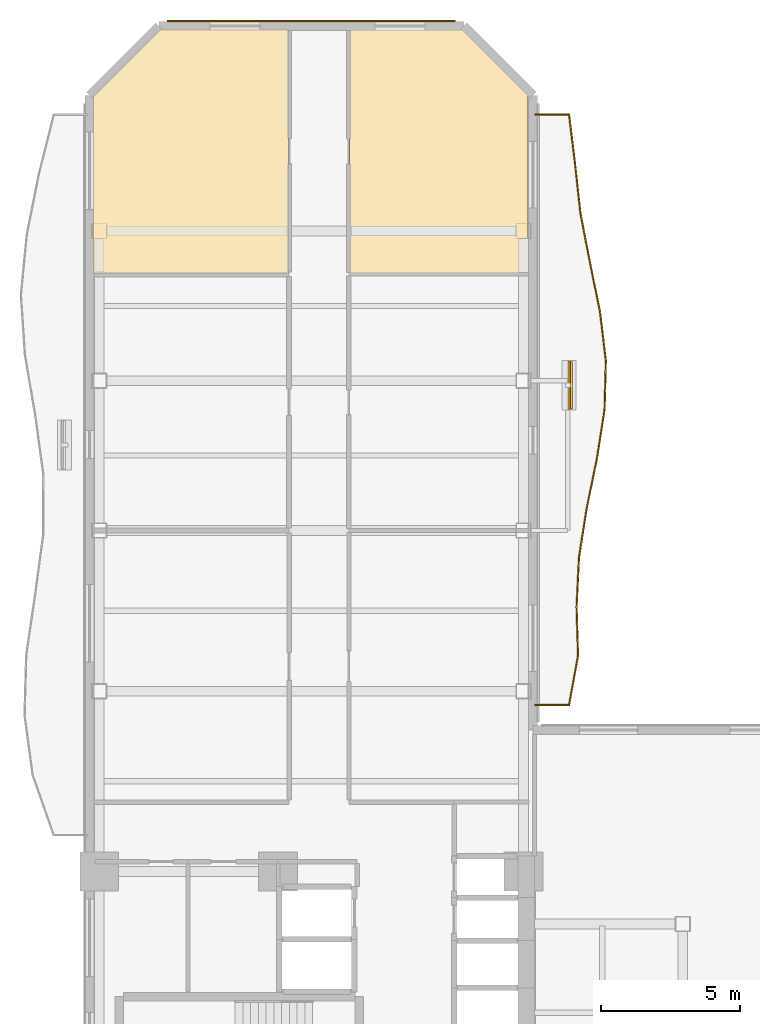
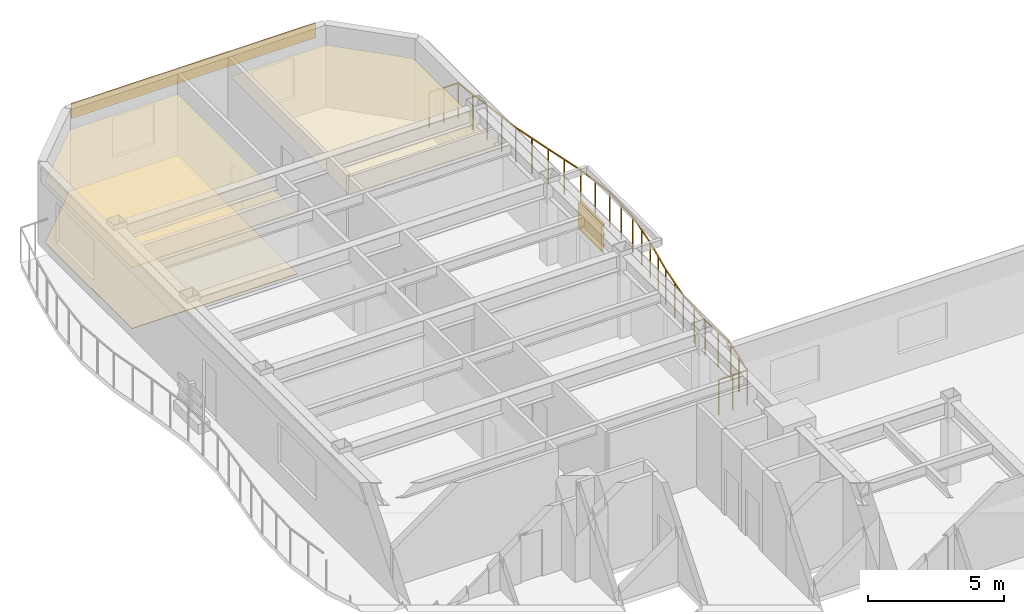
# One storey, part 16 of 16: 4 coverings, 4 shading devices, 1 railing.
"""IFC4 building model written with IfcOpenShell, lengths in metres."""

from ifc_helpers import new_model, si_unit, direction, frame, origin, origin_2d, place, context, subcontext, project, spatial, polyline, rectangle, outline, extrude, material, layer, layer_set, material_profile, profile_set, type_object, element, save


model = new_model("IFC4")

# Units and contexts
model_context = context("Model", 3, precision=1e-05, world=origin(), true_north=direction((0.0, 1.0)))
body_context = subcontext(model_context, "Body", "Model", "MODEL_VIEW")
ifc_project = project(units=[si_unit("LENGTHUNIT", "METRE"), si_unit("AREAUNIT", "SQUARE_METRE"), si_unit("VOLUMEUNIT", "CUBIC_METRE"), si_unit("PLANEANGLEUNIT", "RADIAN"), si_unit("MASSUNIT", "GRAM", prefix="KILO")], contexts=[model_context])

# Site, building, storey
site_placement = place(None, origin())
site = spatial("IfcSite", under=ifc_project, at=site_placement, CompositionType="ELEMENT")
building_placement = place(site_placement, origin())
building = spatial("IfcBuilding", under=site, at=building_placement, Name="Mawjaban Terraces University", CompositionType="ELEMENT")
storey_placement = place(building_placement, frame((0.0, 0.0, 38.800048828125)))
storey = spatial("IfcBuildingStorey", under=building, at=storey_placement, Name="L08", CompositionType="ELEMENT", Elevation=38.800048828125)

# Coverings
ifc_material_1 = material(Name="Acoustic mineral fibre ceiling tile", Category="masonry")
ifc_layer_1 = layer(ifc_material_1, 0.02001953125)
ifc_layer_set_1 = layer_set([ifc_layer_1], Name="Acoustic mineral fibre ceiling tile")
covering_type_1 = type_object("IfcCoveringType", Name="AcousticMineralCeiling_20", PredefinedType="CEILING", material=ifc_layer_set_1)
covering_1_placement = place(storey_placement, frame((0.0, 0.0, 2.75)))
element("IfcCovering", 1, at=covering_1_placement, inside=storey, type_object=covering_type_1, Name="L08 Quiet Reading Room 12 Acoustic Ceiling", PredefinedType="CEILING", context=body_context, shape_type="SweptSolid", body=[
    extrude(outline(polyline([(29.169921875, 53.885009765625), (24.547119140625, 53.885009765625), (22.114990234375, 51.452880859375), (22.114990234375, 45.070068359375), (29.169921875, 45.070068359375), (29.169921875, 53.885009765625)])), origin(), (0.0, 0.0, 1.0), 0.02001953125),
])
covering_2_placement = place(storey_placement, frame((0.0, 0.0, 2.75)))
element("IfcCovering", 2, at=covering_2_placement, inside=storey, type_object=covering_type_1, Name="L08 Collaborative Study Room 13 Acoustic Ceiling", PredefinedType="CEILING", context=body_context, shape_type="SweptSolid", body=[
    extrude(outline(polyline([(37.820068359375, 51.51806640625), (35.452880859375, 53.885009765625), (31.3798828125, 53.885009765625), (31.3798828125, 45.070068359375), (37.820068359375, 45.070068359375), (37.820068359375, 51.51806640625)])), origin(), (0.0, 0.0, 1.0), 0.02001953125),
])

# Railing
ifc_material_2 = material(Name="Galvanised powder-coated steel S355", Category="steel")
railing_type = type_object("IfcRailingType", Name="BalconyBalustrade_1600", PredefinedType="BALUSTRADE", material=ifc_material_2)
railing_placement = place(storey_placement, frame((38.080078125, 29.5, 0.0)))
element("IfcRailing", 3, at=railing_placement, inside=storey, type_object=railing_type, Name="L08 Balcony Guardrail inner_east", PredefinedType="BALUSTRADE", context=body_context, shape_type="SweptSolid", body=[
    extrude(rectangle(XDim=0.048095703125, YDim=0.048095703125, at=origin_2d()), frame((0.0, 0.0, 1.576171875), z_axis=(1.0, 0.0, 0.0), x_axis=(0.0, 1.0, 0.0)), (0.0, 0.0, 1.0), 1.219970703125),
    extrude(rectangle(XDim=0.048095703125, YDim=0.048095703125, at=origin_2d()), frame((1.219970703125, 0.0, 1.576171875), z_axis=(0.179040252349, 0.98384174949, 0.0), x_axis=(-0.98384174949, 0.179040252349, 0.0)), (0.0, 0.0, 1.0), 1.803955078125),
    extrude(rectangle(XDim=0.048095703125, YDim=0.048095703125, at=origin_2d()), frame((1.54296875, 1.77490234375, 1.576171875), z_axis=(-0.029281895776, 0.999571193352, 0.0), x_axis=(-0.999571193352, -0.029281895776, 0.0)), (0.0, 0.0, 1.0), 1.77587890625),
    extrude(rectangle(XDim=0.048095703125, YDim=0.048095703125, at=origin_2d()), frame((1.490966796875, 3.550048828125, 1.576171875), z_axis=(0.048909757879, 0.998803201629, 0.0), x_axis=(-0.998803201629, 0.048909757879, 0.0)), (0.0, 0.0, 1.0), 1.777099609375),
    extrude(rectangle(XDim=0.048095703125, YDim=0.048095703125, at=origin_2d()), frame((1.577880859375, 5.324951171875, 1.576171875), z_axis=(0.154762346011, 0.987951727696, 0.0), x_axis=(-0.987951727696, 0.154762346011, 0.0)), (0.0, 0.0, 1.0), 1.796875),
    extrude(rectangle(XDim=0.048095703125, YDim=0.048095703125, at=origin_2d()), frame((1.85595703125, 7.10009765625, 1.576171875), z_axis=(0.201941800266, 0.979397523637, 0.0), x_axis=(-0.979397523637, 0.201941800266, 0.0)), (0.0, 0.0, 1.0), 1.812255859375),
    extrude(rectangle(XDim=0.048095703125, YDim=0.048095703125, at=origin_2d()), frame((2.221923828125, 8.875, 1.576171875), z_axis=(0.155313609434, 0.987865214857, 0.0), x_axis=(-0.987865214857, 0.155313609434, 0.0)), (0.0, 0.0, 1.0), 1.796630859375),
    extrude(rectangle(XDim=0.048095703125, YDim=0.048095703125, at=origin_2d()), frame((2.5009765625, 10.64990234375, 1.576171875), z_axis=(0.025847502232, 0.999665897502, 0.0), x_axis=(-0.999665897502, 0.025847502232, 0.0)), (0.0, 0.0, 1.0), 1.775634765625),
    extrude(rectangle(XDim=0.048095703125, YDim=0.048095703125, at=origin_2d()), frame((2.546875, 12.425048828125, 1.576171875), z_axis=(-0.118552771619, 0.992947753077, 0.0), x_axis=(-0.992947753077, -0.118552771619, 0.0)), (0.0, 0.0, 1.0), 1.78759765625),
    extrude(rectangle(XDim=0.048095703125, YDim=0.048095703125, at=origin_2d()), frame((2.3349609375, 14.199951171875, 1.576171875), z_axis=(-0.200363902893, 0.979721545347, 0.0), x_axis=(-0.979721545347, -0.200363902893, 0.0)), (0.0, 0.0, 1.0), 1.811767578125),
    extrude(rectangle(XDim=0.048095703125, YDim=0.048095703125, at=origin_2d()), frame((1.971923828125, 15.97509765625, 1.576171875), z_axis=(-0.189228108876, 0.981933155979, 0.0), x_axis=(-0.981933155979, -0.189228108876, 0.0)), (0.0, 0.0, 1.0), 1.8076171875),
    extrude(rectangle(XDim=0.048095703125, YDim=0.048095703125, at=origin_2d()), frame((1.6298828125, 17.75, 1.576171875), z_axis=(-0.108570355093, 0.994088767664, 0.0), x_axis=(-0.994088767664, -0.108570355093, 0.0)), (0.0, 0.0, 1.0), 1.785400390625),
    extrude(rectangle(XDim=0.048095703125, YDim=0.048095703125, at=origin_2d()), frame((1.43603515625, 19.52490234375, 1.576171875), z_axis=(-0.120824696232, 0.992673860228, 0.0), x_axis=(-0.992673860228, -0.120824696232, 0.0)), (0.0, 0.0, 1.0), 1.788330078125),
    extrude(rectangle(XDim=0.048095703125, YDim=0.048095703125, at=origin_2d()), frame((1.219970703125, 21.300048828125, 1.576171875), z_axis=(-1.0, 0.0, 0.0), x_axis=(0.0, -1.0, 0.0)), (0.0, 0.0, 1.0), 1.219970703125),
    extrude(rectangle(XDim=0.0419921875, YDim=0.0419921875, at=origin_2d()), origin(), (0.0, 0.0, 1.0), 1.552001953125),
    extrude(rectangle(XDim=0.0419921875, YDim=0.0419921875, at=origin_2d()), frame((0.60986328125, 0.0, 0.0)), (0.0, 0.0, 1.0), 1.552001953125),
    extrude(rectangle(XDim=0.0419921875, YDim=0.0419921875, at=origin_2d()), frame((1.219970703125, 0.0, 0.0)), (0.0, 0.0, 1.0), 1.552001953125),
    extrude(rectangle(XDim=0.0419921875, YDim=0.0419921875, at=origin_2d()), frame((1.38134765625, 0.887451171875, 0.0)), (0.0, 0.0, 1.0), 1.552001953125),
    extrude(rectangle(XDim=0.0419921875, YDim=0.0419921875, at=origin_2d()), frame((1.54296875, 1.77490234375, 0.0)), (0.0, 0.0, 1.0), 1.552001953125),
    extrude(rectangle(XDim=0.0419921875, YDim=0.0419921875, at=origin_2d()), frame((1.51708984375, 2.66259765625, 0.0)), (0.0, 0.0, 1.0), 1.552001953125),
    extrude(rectangle(XDim=0.0419921875, YDim=0.0419921875, at=origin_2d()), frame((1.490966796875, 3.550048828125, 0.0)), (0.0, 0.0, 1.0), 1.552001953125),
    extrude(rectangle(XDim=0.0419921875, YDim=0.0419921875, at=origin_2d()), frame((1.534423828125, 4.4375, 0.0)), (0.0, 0.0, 1.0), 1.552001953125),
    extrude(rectangle(XDim=0.0419921875, YDim=0.0419921875, at=origin_2d()), frame((1.577880859375, 5.324951171875, 0.0)), (0.0, 0.0, 1.0), 1.552001953125),
    extrude(rectangle(XDim=0.0419921875, YDim=0.0419921875, at=origin_2d()), frame((1.716796875, 6.21240234375, 0.0)), (0.0, 0.0, 1.0), 1.552001953125),
    extrude(rectangle(XDim=0.0419921875, YDim=0.0419921875, at=origin_2d()), frame((1.85595703125, 7.10009765625, 0.0)), (0.0, 0.0, 1.0), 1.552001953125),
    extrude(rectangle(XDim=0.0419921875, YDim=0.0419921875, at=origin_2d()), frame((2.0390625, 7.987548828125, 0.0)), (0.0, 0.0, 1.0), 1.552001953125),
    extrude(rectangle(XDim=0.0419921875, YDim=0.0419921875, at=origin_2d()), frame((2.221923828125, 8.875, 0.0)), (0.0, 0.0, 1.0), 1.552001953125),
    extrude(rectangle(XDim=0.0419921875, YDim=0.0419921875, at=origin_2d()), frame((2.361328125, 9.762451171875, 0.0)), (0.0, 0.0, 1.0), 1.552001953125),
    extrude(rectangle(XDim=0.0419921875, YDim=0.0419921875, at=origin_2d()), frame((2.5009765625, 10.64990234375, 0.0)), (0.0, 0.0, 1.0), 1.552001953125),
    extrude(rectangle(XDim=0.0419921875, YDim=0.0419921875, at=origin_2d()), frame((2.52392578125, 11.53759765625, 0.0)), (0.0, 0.0, 1.0), 1.552001953125),
    extrude(rectangle(XDim=0.0419921875, YDim=0.0419921875, at=origin_2d()), frame((2.546875, 12.425048828125, 0.0)), (0.0, 0.0, 1.0), 1.552001953125),
    extrude(rectangle(XDim=0.0419921875, YDim=0.0419921875, at=origin_2d()), frame((2.44091796875, 13.3125, 0.0)), (0.0, 0.0, 1.0), 1.552001953125),
    extrude(rectangle(XDim=0.0419921875, YDim=0.0419921875, at=origin_2d()), frame((2.3349609375, 14.199951171875, 0.0)), (0.0, 0.0, 1.0), 1.552001953125),
    extrude(rectangle(XDim=0.0419921875, YDim=0.0419921875, at=origin_2d()), frame((2.1533203125, 15.08740234375, 0.0)), (0.0, 0.0, 1.0), 1.552001953125),
    extrude(rectangle(XDim=0.0419921875, YDim=0.0419921875, at=origin_2d()), frame((1.971923828125, 15.97509765625, 0.0)), (0.0, 0.0, 1.0), 1.552001953125),
    extrude(rectangle(XDim=0.0419921875, YDim=0.0419921875, at=origin_2d()), frame((1.80078125, 16.862548828125, 0.0)), (0.0, 0.0, 1.0), 1.552001953125),
    extrude(rectangle(XDim=0.0419921875, YDim=0.0419921875, at=origin_2d()), frame((1.6298828125, 17.75, 0.0)), (0.0, 0.0, 1.0), 1.552001953125),
    extrude(rectangle(XDim=0.0419921875, YDim=0.0419921875, at=origin_2d()), frame((1.532958984375, 18.637451171875, 0.0)), (0.0, 0.0, 1.0), 1.552001953125),
    extrude(rectangle(XDim=0.0419921875, YDim=0.0419921875, at=origin_2d()), frame((1.43603515625, 19.52490234375, 0.0)), (0.0, 0.0, 1.0), 1.552001953125),
    extrude(rectangle(XDim=0.0419921875, YDim=0.0419921875, at=origin_2d()), frame((1.328125, 20.41259765625, 0.0)), (0.0, 0.0, 1.0), 1.552001953125),
    extrude(rectangle(XDim=0.0419921875, YDim=0.0419921875, at=origin_2d()), frame((1.219970703125, 21.300048828125, 0.0)), (0.0, 0.0, 1.0), 1.552001953125),
    extrude(rectangle(XDim=0.0419921875, YDim=0.0419921875, at=origin_2d()), frame((0.60986328125, 21.300048828125, 0.0)), (0.0, 0.0, 1.0), 1.552001953125),
    extrude(rectangle(XDim=0.0419921875, YDim=0.0419921875, at=origin_2d()), frame((0.0, 21.300048828125, 0.0)), (0.0, 0.0, 1.0), 1.552001953125),
])

# Shading devices
ifc_material_3 = material(Name="Glazed architectural terracotta ceramic", Category="masonry")
ifc_material_profile = material_profile(ifc_material_3, rectangle(XDim=0.06494140625, YDim=0.110107421875, at=origin_2d()), Name="TBAG110X65")
ifc_profile_set = profile_set([ifc_material_profile], Name="Glazed architectural terracotta ceramic")
shading_device_type_1 = type_object("IfcShadingDeviceType", Name="TerracottaBaguette_110x65", PredefinedType="USERDEFINED", material=ifc_profile_set)
for number, where, z_axis, x_axis, name in (
    (4, (39.382080078125, 40.18701171875, 0.679931640625), (0.0, 1.0, 0.0), (-1.0, 0.0, 0.0), "L08 Horizontal Terracotta Baguette inner_east.1"),
    (5, (39.382080078125, 40.18701171875, 1.14990234375), (0.0, 1.0, 0.0), (-1.0, 0.0, 0.0), "L08 Horizontal Terracotta Baguette inner_east.2"),
    (6, (39.382080078125, 40.18701171875, 1.619873046875), (0.0, 1.0, 0.0), (-1.0, 0.0, 0.0), "L08 Horizontal Terracotta Baguette inner_east.3"),
):
    element("IfcShadingDevice", number, at=place(storey_placement, frame(where, z_axis=z_axis, x_axis=x_axis)), inside=storey, type_object=shading_device_type_1, Name=name, ObjectType="BAGUETTE", PredefinedType="USERDEFINED", context=body_context, shape_type="SweptSolid", body=[
        extrude(rectangle(XDim=0.06494140625, YDim=0.110107421875, at=origin_2d()), origin(), (0.0, 0.0, 1.0), 1.699951171875),
    ])
ifc_layer_2 = layer(ifc_material_3, 0.080078125)
ifc_layer_set_2 = layer_set([ifc_layer_2], Name="Glazed architectural terracotta ceramic")
shading_device_type_2 = type_object("IfcShadingDeviceType", Name="TerracottaScreen_Perforated", PredefinedType="USERDEFINED", material=ifc_layer_set_2)
shading_device_placement = place(storey_placement, frame((39.297119140625, 41.037109375, 0.43994140625), z_axis=(0.0, 0.0, 1.0), x_axis=(0.0, 1.0, 0.0)))
element("IfcShadingDevice", 7, at=shading_device_placement, inside=storey, type_object=shading_device_type_2, Name="L08 Balcony Perforated Terracotta Screen inner_east", ObjectType="SCREEN", PredefinedType="USERDEFINED", context=body_context, shape_type="SweptSolid", body=[
    extrude(rectangle(XDim=1.75, YDim=0.080078125, at=origin_2d()), origin(), (0.0, 0.0, 1.0), 1.14990234375),
])

# Coverings
ifc_material_4 = material(Name="Glazed architectural terracotta rainscreen", Category="masonry")
ifc_layer_3 = layer(ifc_material_4, 0.06005859375)
ifc_layer_set_3 = layer_set([ifc_layer_3], Name="Glazed architectural terracotta rainscreen")
covering_type_2 = type_object("IfcCoveringType", Name="TerracottaSpandrelCladding_60", PredefinedType="CLADDING", material=ifc_layer_set_3)
covering_3_placement = place(storey_placement, frame((30.0, 54.18505859375, 3.014892578125), z_axis=(0.0, 0.0, 1.0), x_axis=(-1.0, 0.0, 0.0)))
element("IfcCovering", 8, at=covering_3_placement, inside=storey, type_object=covering_type_2, Name="L08 Terracotta Spandrel Cladding 11", PredefinedType="CLADDING", context=body_context, shape_type="SweptSolid", body=[
    extrude(rectangle(XDim=10.39990234375, YDim=0.06005859375, at=origin_2d()), origin(), (0.0, 0.0, 1.0), 0.64990234375),
])
ifc_material_5 = material(Name="Polished Hijazi granite terrazzo flooring", Category="masonry")
ifc_layer_4 = layer(ifc_material_5, 0.02490234375)
ifc_layer_set_4 = layer_set([ifc_layer_4], Name="Polished Hijazi granite terrazzo flooring")
covering_type_3 = type_object("IfcCoveringType", Name="TerrazzoConcourseFlooring_25", PredefinedType="FLOORING", material=ifc_layer_set_4)
covering_4_placement = place(storey_placement, origin())
element("IfcCovering", 9, at=covering_4_placement, inside=storey, type_object=covering_type_3, Name="L08 Quiet Reading Room 12 Terrazzo Flooring", PredefinedType="FLOORING", context=body_context, shape_type="SweptSolid", body=[
    extrude(outline(polyline([(29.169921875, 53.885009765625), (24.547119140625, 53.885009765625), (22.114990234375, 51.452880859375), (22.114990234375, 45.070068359375), (29.169921875, 45.070068359375), (29.169921875, 53.885009765625)])), origin(), (0.0, 0.0, 1.0), 0.02490234375),
])

save(model, "model.ifc")
